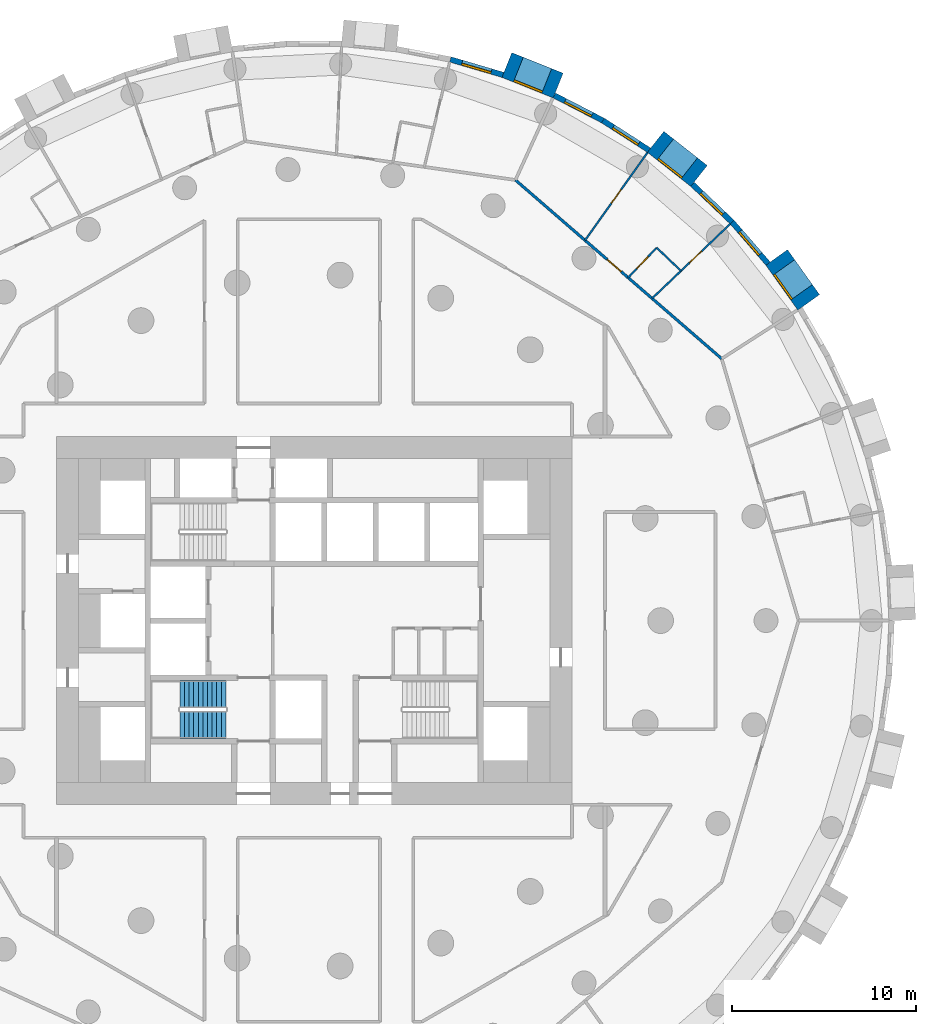
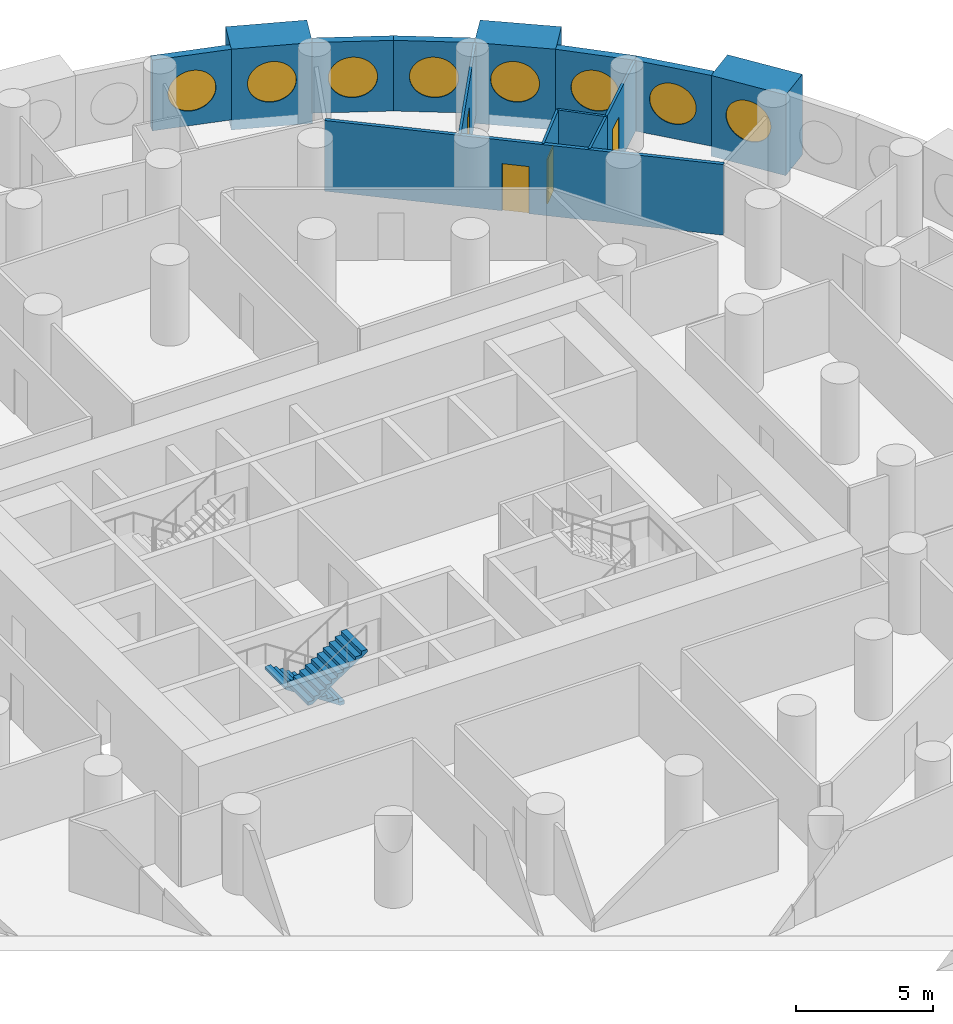
# One storey, part 10 of 12: 14 walls, 8 windows, 4 doors, 2 stair flights, 12 openings, 1 element without a shape of its own.
"""IFC4 building model written with IfcOpenShell, lengths in metres."""

from ifc_helpers import new_model, si_unit, direction, frame, frame_2d, origin, origin_2d, place, context, subcontext, project, spatial, polyline, rectangle, circle, outline, extrude, material, layer, layer_set, type_object, element, fill, aggregate, save


model = new_model("IFC4")

# Units and contexts
model_context = context("Model", 3, precision=1e-05, world=origin(), true_north=direction((0.0, 1.0)))
body_context = subcontext(model_context, "Body", "Model", "MODEL_VIEW")
ifc_project = project(units=[si_unit("LENGTHUNIT", "METRE"), si_unit("AREAUNIT", "SQUARE_METRE"), si_unit("VOLUMEUNIT", "CUBIC_METRE"), si_unit("PLANEANGLEUNIT", "RADIAN"), si_unit("MASSUNIT", "GRAM", prefix="KILO")], contexts=[model_context])

# Site, building, storey
site_placement = place(None, origin())
site = spatial("IfcSite", under=ifc_project, at=site_placement, CompositionType="ELEMENT")
building_placement = place(site_placement, origin())
building = spatial("IfcBuilding", under=site, at=building_placement, Name="Tracery Tower", CompositionType="ELEMENT")
storey_placement = place(building_placement, frame((0.0, 0.0, 89.39990234375)))
storey = spatial("IfcBuildingStorey", under=building, at=storey_placement, Name="L22", CompositionType="ELEMENT", Elevation=89.39990234375)

# Wall, opening, window
ifc_material_1 = material(Name="Precast concrete C50/60", Category="concrete")
ifc_layer_1 = layer(ifc_material_1, 1.449951171875)
ifc_layer_set_1 = layer_set([ifc_layer_1], Name="Deep-set bay unit 3000 x 3600, slab edge 450")
wall_type_1 = type_object("IfcWallType", Name="Deep-set bay unit 3000 x 3600, slab edge 450", PredefinedType="ELEMENTEDWALL", material=ifc_layer_set_1)
wall_1_placement = place(storey_placement, frame((26.866455078125, 17.2900390625, -0.449951171875), z_axis=(0.0, 0.0, 1.0), x_axis=(-0.580090570606, 0.814551981088, 0.0)))
wall_1 = element("IfcWall", 1, at=wall_1_placement, inside=storey, type_object=wall_type_1, Name="Deep-set bay unit 7 at L22", PredefinedType="ELEMENTEDWALL", context=body_context, shape_type="SweptSolid", body=[
    extrude(rectangle(XDim=3.0, YDim=1.449951171875, at=frame_2d((1.5, 0.0))), origin(), (0.0, 0.0, 1.0), 3.60009765625),
])
opening_1_placement = place(wall_1_placement, frame((1.5, 0.0, 2.0)))
opening_1 = element("IfcOpeningElement", 2, at=opening_1_placement, cuts=wall_1, Name="Opening WN1", PredefinedType="OPENING", context=body_context, shape_type="SweptSolid", body=[
    extrude(circle(Radius=0.9000244140625, at=origin_2d()), frame((0.0, 0.73486328125, 0.0), z_axis=(0.0, -1.0, 0.0), x_axis=(1.0, 0.0, 0.0)), (0.0, 0.0, 1.0), 1.469970703125),
])
ifc_material_2 = material(Name="Aluminium frame with tinted double glazing", Category="aluminium")
window_type = type_object("IfcWindowType", Name="Round window 1800", PartitioningType="SINGLE_PANEL", PredefinedType="WINDOW", material=ifc_material_2)
window_1_placement = place(opening_1_placement, origin())
window_1 = element("IfcWindow", 3, at=window_1_placement, inside=storey, type_object=window_type, Name="Round window 7 at L22", OverallHeight=1.800048828125, OverallWidth=1.800048828125, PartitioningType="SINGLE_PANEL", PredefinedType="WINDOW", context=body_context, shape_type="SweptSolid", body=[
    extrude(circle(Radius=0.9000244140625, at=origin_2d()), frame((0.0, 0.69482421875, 0.0), z_axis=(0.0, -1.0, 0.0), x_axis=(1.0, 0.0, 0.0)), (0.0, 0.0, 1.0), 0.10009765625),
])
fill(opening_1, window_1)

wall_2_placement = place(storey_placement, frame((20.906982421875, 24.15869140625, -0.449951171875), z_axis=(0.0, 0.0, 1.0), x_axis=(-0.786049992888, 0.618162930529, 0.0)))
wall_2 = element("IfcWall", 4, at=wall_2_placement, inside=storey, type_object=wall_type_1, Name="Deep-set bay unit 10 at L22", PredefinedType="ELEMENTEDWALL", context=body_context, shape_type="SweptSolid", body=[
    extrude(rectangle(XDim=3.0, YDim=1.449951171875, at=frame_2d((1.5, 0.0))), origin(), (0.0, 0.0, 1.0), 3.60009765625),
])
opening_2_placement = place(wall_2_placement, frame((1.5, 0.0, 2.0)))
opening_2 = element("IfcOpeningElement", 5, at=opening_2_placement, cuts=wall_2, Name="Opening WN1", PredefinedType="OPENING", context=body_context, shape_type="SweptSolid", body=[
    extrude(circle(Radius=0.9000244140625, at=origin_2d()), frame((0.0, 0.73486328125, 0.0), z_axis=(0.0, -1.0, 0.0), x_axis=(1.0, 0.0, 0.0)), (0.0, 0.0, 1.0), 1.469970703125),
])
window_2_placement = place(opening_2_placement, origin())
window_2 = element("IfcWindow", 6, at=window_2_placement, inside=storey, type_object=window_type, Name="Round window 10 at L22", OverallHeight=1.800048828125, OverallWidth=1.800048828125, PartitioningType="SINGLE_PANEL", PredefinedType="WINDOW", context=body_context, shape_type="SweptSolid", body=[
    extrude(circle(Radius=0.9000244140625, at=origin_2d()), frame((0.0, 0.69482421875, 0.0), z_axis=(0.0, -1.0, 0.0), x_axis=(1.0, 0.0, 0.0)), (0.0, 0.0, 1.0), 0.10009765625),
])
fill(opening_2, window_2)

wall_3_placement = place(storey_placement, frame((13.253662109375, 29.0703125, -0.449951171875), z_axis=(0.0, 0.0, 1.0), x_axis=(-0.928358776184, 0.371685327504, 0.0)))
wall_3 = element("IfcWall", 7, at=wall_3_placement, inside=storey, type_object=wall_type_1, Name="Deep-set bay unit 13 at L22", PredefinedType="ELEMENTEDWALL", context=body_context, shape_type="SweptSolid", body=[
    extrude(rectangle(XDim=2.999755859375, YDim=1.449951171875, at=frame_2d((1.5, 0.0))), origin(), (0.0, 0.0, 1.0), 3.60009765625),
])
opening_3_placement = place(wall_3_placement, frame((1.5, 0.0, 2.0)))
opening_3 = element("IfcOpeningElement", 8, at=opening_3_placement, cuts=wall_3, Name="Opening WN1", PredefinedType="OPENING", context=body_context, shape_type="SweptSolid", body=[
    extrude(circle(Radius=0.9000244140625, at=origin_2d()), frame((0.0, 0.73486328125, 0.0), z_axis=(0.0, -1.0, 0.0), x_axis=(1.0, 0.0, 0.0)), (0.0, 0.0, 1.0), 1.469970703125),
])
window_3_placement = place(opening_3_placement, origin())
window_3 = element("IfcWindow", 9, at=window_3_placement, inside=storey, type_object=window_type, Name="Round window 13 at L22", OverallHeight=1.800048828125, OverallWidth=1.800048828125, PartitioningType="SINGLE_PANEL", PredefinedType="WINDOW", context=body_context, shape_type="SweptSolid", body=[
    extrude(circle(Radius=0.9000244140625, at=origin_2d()), frame((0.0, 0.69482421875, 0.0), z_axis=(0.0, -1.0, 0.0), x_axis=(1.0, 0.0, 0.0)), (0.0, 0.0, 1.0), 0.10009765625),
])
fill(opening_3, window_3)

ifc_material_3 = material(Name="Precast concrete C50/60", Category="concrete")
ifc_layer_2 = layer(ifc_material_3, 0.300048828125)
ifc_layer_set_2 = layer_set([ifc_layer_2], Name="Facade panel 3000 x 3150")
wall_type_2 = type_object("IfcWallType", Name="Facade panel 3000 x 3150", PredefinedType="SOLIDWALL", material=ifc_layer_set_2)
wall_4_placement = place(storey_placement, frame((24.657958984375, 19.39892578125, 0.0), z_axis=(0.0, 0.0, 1.0), x_axis=(-0.654830712471, 0.755775587066, 0.0)))
wall_4 = element("IfcWall", 10, at=wall_4_placement, inside=storey, type_object=wall_type_2, Name="Facade panel 8 at L22", PredefinedType="SOLIDWALL", context=body_context, shape_type="SweptSolid", body=[
    extrude(rectangle(XDim=2.979736328125, YDim=0.300048828125, at=frame_2d((1.48974609375, 0.0))), origin(), (0.0, 0.0, 1.0), 3.150146484375),
])
opening_4_placement = place(wall_4_placement, frame((1.48974609375, 0.0, 1.5498046875)))
opening_4 = element("IfcOpeningElement", 11, at=opening_4_placement, cuts=wall_4, Name="Opening WN1", PredefinedType="OPENING", context=body_context, shape_type="SweptSolid", body=[
    extrude(circle(Radius=0.9000244140625, at=origin_2d()), frame((0.0, 0.159912109375, 0.0), z_axis=(0.0, -1.0, 0.0), x_axis=(1.0, 0.0, 0.0)), (0.0, 0.0, 1.0), 0.320068359375),
])
window_4_placement = place(opening_4_placement, origin())
window_4 = element("IfcWindow", 12, at=window_4_placement, inside=storey, type_object=window_type, Name="Round window 8 at L22", OverallHeight=1.800048828125, OverallWidth=1.800048828125, PartitioningType="SINGLE_PANEL", PredefinedType="WINDOW", context=body_context, shape_type="SweptSolid", body=[
    extrude(circle(Radius=0.9000244140625, at=origin_2d()), frame((0.0, 0.1201171875, 0.0), z_axis=(0.0, -1.0, 0.0), x_axis=(1.0, 0.0, 0.0)), (0.0, 0.0, 1.0), 0.10009765625),
])
fill(opening_4, window_4)

wall_5_placement = place(storey_placement, frame((22.706787109375, 21.65087890625, 0.0), z_axis=(0.0, 0.0, 1.0), x_axis=(-0.723744206617, 0.690068346896, 0.0)))
wall_5 = element("IfcWall", 13, at=wall_5_placement, inside=storey, type_object=wall_type_2, Name="Facade panel 9 at L22", PredefinedType="SOLIDWALL", context=body_context, shape_type="SweptSolid", body=[
    extrude(rectangle(XDim=2.979736328125, YDim=0.300048828125, at=frame_2d((1.48974609375, 0.0))), origin(), (0.0, 0.0, 1.0), 3.150146484375),
])
opening_5_placement = place(wall_5_placement, frame((1.48974609375, 0.0, 1.5498046875)))
opening_5 = element("IfcOpeningElement", 14, at=opening_5_placement, cuts=wall_5, Name="Opening WN1", PredefinedType="OPENING", context=body_context, shape_type="SweptSolid", body=[
    extrude(circle(Radius=0.9000244140625, at=origin_2d()), frame((0.0, 0.159912109375, 0.0), z_axis=(0.0, -1.0, 0.0), x_axis=(1.0, 0.0, 0.0)), (0.0, 0.0, 1.0), 0.320068359375),
])
window_5_placement = place(opening_5_placement, origin())
window_5 = element("IfcWindow", 15, at=window_5_placement, inside=storey, type_object=window_type, Name="Round window 9 at L22", OverallHeight=1.800048828125, OverallWidth=1.800048828125, PartitioningType="SINGLE_PANEL", PredefinedType="WINDOW", context=body_context, shape_type="SweptSolid", body=[
    extrude(circle(Radius=0.9000244140625, at=origin_2d()), frame((0.0, 0.1201171875, 0.0), z_axis=(0.0, -1.0, 0.0), x_axis=(1.0, 0.0, 0.0)), (0.0, 0.0, 1.0), 0.10009765625),
])
fill(opening_5, window_5)

wall_6_placement = place(storey_placement, frame((18.19384765625, 25.56005859375, 0.0), z_axis=(0.0, 0.0, 1.0), x_axis=(-0.84122372879, 0.540687190639, 0.0)))
wall_6 = element("IfcWall", 16, at=wall_6_placement, inside=storey, type_object=wall_type_2, Name="Facade panel 11 at L22", PredefinedType="SOLIDWALL", context=body_context, shape_type="SweptSolid", body=[
    extrude(rectangle(XDim=2.979736328125, YDim=0.300048828125, at=frame_2d((1.48974609375, 0.0))), origin(), (0.0, 0.0, 1.0), 3.150146484375),
])
opening_6_placement = place(wall_6_placement, frame((1.48974609375, 0.0, 1.5498046875)))
opening_6 = element("IfcOpeningElement", 17, at=opening_6_placement, cuts=wall_6, Name="Opening WN1", PredefinedType="OPENING", context=body_context, shape_type="SweptSolid", body=[
    extrude(circle(Radius=0.9000244140625, at=origin_2d()), frame((0.0, 0.159912109375, 0.0), z_axis=(0.0, -1.0, 0.0), x_axis=(1.0, 0.0, 0.0)), (0.0, 0.0, 1.0), 0.320068359375),
])
window_6_placement = place(opening_6_placement, origin())
window_6 = element("IfcWindow", 18, at=window_6_placement, inside=storey, type_object=window_type, Name="Round window 11 at L22", OverallHeight=1.800048828125, OverallWidth=1.800048828125, PartitioningType="SINGLE_PANEL", PredefinedType="WINDOW", context=body_context, shape_type="SweptSolid", body=[
    extrude(circle(Radius=0.9000244140625, at=origin_2d()), frame((0.0, 0.1201171875, 0.0), z_axis=(0.0, -1.0, 0.0), x_axis=(1.0, 0.0, 0.0)), (0.0, 0.0, 1.0), 0.10009765625),
])
fill(opening_6, window_6)

wall_7_placement = place(storey_placement, frame((15.687255859375, 27.171142578125, 0.0), z_axis=(0.0, 0.0, 1.0), x_axis=(-0.888853225096, 0.4581920386, 0.0)))
wall_7 = element("IfcWall", 19, at=wall_7_placement, inside=storey, type_object=wall_type_2, Name="Facade panel 12 at L22", PredefinedType="SOLIDWALL", context=body_context, shape_type="SweptSolid", body=[
    extrude(rectangle(XDim=2.9794921875, YDim=0.300048828125, at=frame_2d((1.48974609375, 0.0))), origin(), (0.0, 0.0, 1.0), 3.150146484375),
])
opening_7_placement = place(wall_7_placement, frame((1.48974609375, 0.0, 1.5498046875)))
opening_7 = element("IfcOpeningElement", 20, at=opening_7_placement, cuts=wall_7, Name="Opening WN1", PredefinedType="OPENING", context=body_context, shape_type="SweptSolid", body=[
    extrude(circle(Radius=0.9000244140625, at=origin_2d()), frame((0.0, 0.159912109375, 0.0), z_axis=(0.0, -1.0, 0.0), x_axis=(1.0, 0.0, 0.0)), (0.0, 0.0, 1.0), 0.320068359375),
])
window_7_placement = place(opening_7_placement, origin())
window_7 = element("IfcWindow", 21, at=window_7_placement, inside=storey, type_object=window_type, Name="Round window 12 at L22", OverallHeight=1.800048828125, OverallWidth=1.800048828125, PartitioningType="SINGLE_PANEL", PredefinedType="WINDOW", context=body_context, shape_type="SweptSolid", body=[
    extrude(circle(Radius=0.9000244140625, at=origin_2d()), frame((0.0, 0.1201171875, 0.0), z_axis=(0.0, -1.0, 0.0), x_axis=(1.0, 0.0, 0.0)), (0.0, 0.0, 1.0), 0.10009765625),
])
fill(opening_7, window_7)

wall_8_placement = place(storey_placement, frame((10.255859375, 29.650634765625, 0.0), z_axis=(0.0, 0.0, 1.0), x_axis=(-0.959507586834, 0.28168278401, 0.0)))
wall_8 = element("IfcWall", 22, at=wall_8_placement, inside=storey, type_object=wall_type_2, Name="Facade panel 14 at L22", PredefinedType="SOLIDWALL", context=body_context, shape_type="SweptSolid", body=[
    extrude(rectangle(XDim=2.979736328125, YDim=0.300048828125, at=frame_2d((1.48974609375, 0.0))), origin(), (0.0, 0.0, 1.0), 3.150146484375),
])
opening_8_placement = place(wall_8_placement, frame((1.48974609375, 0.0, 1.5498046875)))
opening_8 = element("IfcOpeningElement", 23, at=opening_8_placement, cuts=wall_8, Name="Opening WN1", PredefinedType="OPENING", context=body_context, shape_type="SweptSolid", body=[
    extrude(circle(Radius=0.9000244140625, at=origin_2d()), frame((0.0, 0.159912109375, 0.0), z_axis=(0.0, -1.0, 0.0), x_axis=(1.0, 0.0, 0.0)), (0.0, 0.0, 1.0), 0.320068359375),
])
window_8_placement = place(opening_8_placement, origin())
window_8 = element("IfcWindow", 24, at=window_8_placement, inside=storey, type_object=window_type, Name="Round window 14 at L22", OverallHeight=1.800048828125, OverallWidth=1.800048828125, PartitioningType="SINGLE_PANEL", PredefinedType="WINDOW", context=body_context, shape_type="SweptSolid", body=[
    extrude(circle(Radius=0.9000244140625, at=origin_2d()), frame((0.0, 0.1201171875, 0.0), z_axis=(0.0, -1.0, 0.0), x_axis=(1.0, 0.0, 0.0)), (0.0, 0.0, 1.0), 0.10009765625),
])
fill(opening_8, window_8)

# Wall, opening, door
ifc_material_4 = material(Name="Plasterboard on steel studs", Category="steel")
ifc_layer_3 = layer(ifc_material_4, 0.10009765625)
ifc_layer_set_3 = layer_set([ifc_layer_3], Name="Partition 100 stud")
wall_type_3 = type_object("IfcWallType", Name="Partition 100 stud", PredefinedType="PARTITIONING", material=ifc_layer_set_3)
wall_9_placement = place(storey_placement, frame((19.927978515625, 19.001953125, 0.0), z_axis=(0.0, 0.0, 1.0), x_axis=(0.723815182922, 0.689993899228, 0.0)))
wall_9 = element("IfcWall", 25, at=wall_9_placement, inside=storey, type_object=wall_type_3, Name="Stud partition RA6-065", PredefinedType="PARTITIONING", context=body_context, shape_type="SweptSolid", body=[
    extrude(rectangle(XDim=3.688720703125, YDim=0.10009765625, at=frame_2d((1.84423828125, 0.0))), origin(), (0.0, 0.0, 1.0), 3.150146484375),
])
opening_9_placement = place(wall_9_placement, frame((0.64453125, 0.0, 0.0)))
opening_9 = element("IfcOpeningElement", 26, at=opening_9_placement, cuts=wall_9, Name="Opening RA6-17", PredefinedType="OPENING", context=body_context, shape_type="SweptSolid", body=[
    extrude(rectangle(XDim=0.89990234375, YDim=2.10009765625, at=frame_2d((0.449951171875, 1.050048828125))), frame((0.0, 0.050048828125, 0.0), z_axis=(0.0, -1.0, 0.0), x_axis=(1.0, 0.0, 0.0)), (0.0, 0.0, 1.0), 0.10009765625),
])
ifc_material_5 = material(Name="Timber door leaf", Category="wood")
door_type_1 = type_object("IfcDoorType", Name="Door bedroom 900", OperationType="NOTDEFINED", PredefinedType="DOOR", material=ifc_material_5)
door_1_placement = place(opening_9_placement, origin())
door_1 = element("IfcDoor", 27, at=door_1_placement, inside=storey, type_object=door_type_1, Name="Bedroom door RA6-17", OperationType="SINGLE_SWING_RIGHT", OverallHeight=2.10009765625, OverallWidth=0.89990234375, PredefinedType="DOOR", context=body_context, shape_type="SweptSolid", body=[
    extrude(rectangle(XDim=0.89990234375, YDim=2.10009765625, at=frame_2d((0.449951171875, 1.050048828125))), frame((0.0, 0.02490234375, 0.0), z_axis=(0.0, -1.0, 0.0), x_axis=(1.0, 0.0, 0.0)), (0.0, 0.0, 1.0), 0.050048828125),
])
fill(opening_9, door_1)

wall_10_placement = place(storey_placement, frame((14.715087890625, 20.6640625, 0.0), z_axis=(0.0, 0.0, 1.0), x_axis=(0.580007254017, 0.814611309329, 0.0)))
wall_10 = element("IfcWall", 28, at=wall_10_placement, inside=storey, type_object=wall_type_3, Name="Stud partition RA6-066", PredefinedType="PARTITIONING", context=body_context, shape_type="SweptSolid", body=[
    extrude(rectangle(XDim=5.856689453125, YDim=0.10009765625, at=frame_2d((2.92822265625, 0.0))), origin(), (0.0, 0.0, 1.0), 3.150146484375),
])
opening_10_placement = place(wall_10_placement, frame((2.47802734375, 0.0, 0.0)))
opening_10 = element("IfcOpeningElement", 29, at=opening_10_placement, cuts=wall_10, Name="Opening RA6-18", PredefinedType="OPENING", context=body_context, shape_type="SweptSolid", body=[
    extrude(rectangle(XDim=0.89990234375, YDim=2.10009765625, at=frame_2d((0.449951171875, 1.050048828125))), frame((0.0, 0.050048828125, 0.0), z_axis=(0.0, -1.0, 0.0), x_axis=(1.0, 0.0, 0.0)), (0.0, 0.0, 1.0), 0.10009765625),
])
door_2_placement = place(opening_10_placement, origin())
door_2 = element("IfcDoor", 30, at=door_2_placement, inside=storey, type_object=door_type_1, Name="Bedroom door RA6-18", OperationType="SINGLE_SWING_LEFT", OverallHeight=2.10009765625, OverallWidth=0.89990234375, PredefinedType="DOOR", context=body_context, shape_type="SweptSolid", body=[
    extrude(rectangle(XDim=0.89990234375, YDim=2.10009765625, at=frame_2d((0.449951171875, 1.050048828125))), frame((0.0, 0.02490234375, 0.0), z_axis=(0.0, -1.0, 0.0), x_axis=(1.0, 0.0, 0.0)), (0.0, 0.0, 1.0), 0.050048828125),
])
fill(opening_10, door_2)

# Wall
ifc_material_6 = material(Name="Plasterboard on steel studs", Category="steel")
ifc_layer_4 = layer(ifc_material_6, 0.10009765625)
ifc_layer_set_4 = layer_set([ifc_layer_4], Name="Partition 100 wet wall")
wall_type_4 = type_object("IfcWallType", Name="Partition 100 wet wall", PredefinedType="PARTITIONING", material=ifc_layer_set_4)
wall_11_placement = place(storey_placement, frame((18.60791015625, 20.260986328125, 0.0), z_axis=(0.0, 0.0, 1.0), x_axis=(0.723638053237, -0.690179663499, 0.0)))
element("IfcWall", 31, at=wall_11_placement, inside=storey, type_object=wall_type_4, Name="Wet wall RA6-067", PredefinedType="PARTITIONING", context=body_context, shape_type="SweptSolid", body=[
    extrude(rectangle(XDim=1.82421875, YDim=0.10009765625, at=frame_2d((0.912109375, 0.0))), origin(), (0.0, 0.0, 1.0), 3.150146484375),
])

# Wall, opening, door
wall_12_placement = place(storey_placement, frame((17.056884765625, 18.634033203125, 0.0), z_axis=(0.0, 0.0, 1.0), x_axis=(0.690015794307, 0.723794310289, 0.0)))
wall_12 = element("IfcWall", 32, at=wall_12_placement, inside=storey, type_object=wall_type_4, Name="Wet wall RA6-068", PredefinedType="PARTITIONING", context=body_context, shape_type="SweptSolid", body=[
    extrude(rectangle(XDim=2.247802734375, YDim=0.10009765625, at=frame_2d((1.1240234375, 0.0))), origin(), (0.0, 0.0, 1.0), 3.150146484375),
])
opening_11_placement = place(wall_12_placement, frame((0.673828125, 0.0, 0.0)))
opening_11 = element("IfcOpeningElement", 33, at=opening_11_placement, cuts=wall_12, Name="Opening RA6-19", PredefinedType="OPENING", context=body_context, shape_type="SweptSolid", body=[
    extrude(rectangle(XDim=0.89990234375, YDim=2.0, at=frame_2d((0.449951171875, 1.0))), frame((0.0, 0.050048828125, 0.0), z_axis=(0.0, -1.0, 0.0), x_axis=(1.0, 0.0, 0.0)), (0.0, 0.0, 1.0), 0.10009765625),
])
ifc_material_7 = material(Name="Timber door leaf", Category="wood")
door_type_2 = type_object("IfcDoorType", Name="Door shower room 900", OperationType="NOTDEFINED", PredefinedType="DOOR", material=ifc_material_7)
door_3_placement = place(opening_11_placement, origin())
door_3 = element("IfcDoor", 34, at=door_3_placement, inside=storey, type_object=door_type_2, Name="Shower room door RA6-19", OperationType="SINGLE_SWING_RIGHT", OverallHeight=2.0, OverallWidth=0.89990234375, PredefinedType="DOOR", context=body_context, shape_type="SweptSolid", body=[
    extrude(rectangle(XDim=0.89990234375, YDim=2.0, at=frame_2d((0.449951171875, 1.0))), frame((0.0, 0.02490234375, 0.0), z_axis=(0.0, -1.0, 0.0), x_axis=(1.0, 0.0, 0.0)), (0.0, 0.0, 1.0), 0.050048828125),
])
fill(opening_11, door_3)

# Wall
wall_13_placement = place(storey_placement, frame((18.35888671875, 17.506103515625, 0.0), z_axis=(0.0, 0.0, 1.0), x_axis=(0.723990848888, 0.689809575699, 0.0)))
element("IfcWall", 35, at=wall_13_placement, inside=storey, type_object=wall_type_4, Name="Wet wall RA6-069", PredefinedType="PARTITIONING", context=body_context, shape_type="SweptSolid", body=[
    extrude(rectangle(XDim=2.17138671875, YDim=0.10009765625, at=frame_2d((1.085693359375, 0.0))), origin(), (0.0, 0.0, 1.0), 3.150146484375),
])

# Wall, opening, door
ifc_material_8 = material(Name="Plasterboard on steel studs", Category="steel")
ifc_layer_5 = layer(ifc_material_8, 0.14990234375)
ifc_layer_set_5 = layer_set([ifc_layer_5], Name="Partition 150 corridor wall")
wall_type_5 = type_object("IfcWallType", Name="Partition 150 corridor wall", PredefinedType="PARTITIONING", material=ifc_layer_set_5)
wall_14_placement = place(storey_placement, frame((10.932373046875, 23.939208984375, 0.0), z_axis=(0.0, 0.0, 1.0), x_axis=(0.755823777664, -0.654775088956, 0.0)))
wall_14 = element("IfcWall", 36, at=wall_14_placement, inside=storey, type_object=wall_type_5, Name="Corridor wall RA6-021", PredefinedType="PARTITIONING", context=body_context, shape_type="SweptSolid", body=[
    extrude(rectangle(XDim=14.829833984375, YDim=0.14990234375, at=frame_2d((7.4150390625, 0.0))), origin(), (0.0, 0.0, 1.0), 3.150146484375),
])
opening_12_placement = place(wall_14_placement, frame((6.60400390625, 0.0, 0.0)))
opening_12 = element("IfcOpeningElement", 37, at=opening_12_placement, cuts=wall_14, Name="Opening RA6-20", PredefinedType="OPENING", context=body_context, shape_type="SweptSolid", body=[
    extrude(rectangle(XDim=1.0, YDim=2.10009765625, at=frame_2d((0.5, 1.050048828125))), frame((0.0, 0.074951171875, 0.0), z_axis=(0.0, -1.0, 0.0), x_axis=(1.0, 0.0, 0.0)), (0.0, 0.0, 1.0), 0.14990234375),
])
ifc_material_9 = material(Name="Timber door leaf", Category="wood")
door_type_3 = type_object("IfcDoorType", Name="Door unit entrance 1000", OperationType="NOTDEFINED", PredefinedType="DOOR", material=ifc_material_9)
door_4_placement = place(opening_12_placement, origin())
door_4 = element("IfcDoor", 38, at=door_4_placement, inside=storey, type_object=door_type_3, Name="Unit entrance door RA6-20", OperationType="SINGLE_SWING_RIGHT", OverallHeight=2.10009765625, OverallWidth=1.0, PredefinedType="DOOR", context=body_context, shape_type="SweptSolid", body=[
    extrude(rectangle(XDim=1.0, YDim=2.10009765625, at=frame_2d((0.5, 1.050048828125))), frame((0.0, 0.02490234375, 0.0), z_axis=(0.0, -1.0, 0.0), x_axis=(1.0, 0.0, 0.0)), (0.0, 0.0, 1.0), 0.050048828125),
])
fill(opening_12, door_4)

# Stair, stair flights
ifc_material_10 = material(Name="Concrete C32/40", Category="concrete")
stair_type = type_object("IfcStairType", Name="Core stair 22 risers", PredefinedType="HALF_TURN_STAIR", material=ifc_material_10)
stair_placement = place(storey_placement, origin())
stair = element("IfcStair", 39, at=stair_placement, inside=storey, type_object=stair_type, Name="L22 stair ST1", PredefinedType="HALF_TURN_STAIR")
ifc_material_11 = material(Name="Concrete C32/40", Category="concrete")
stair_flight_type = type_object("IfcStairFlightType", Name="Core stair flight 11 risers", PredefinedType="STRAIGHT", material=ifc_material_11)
stair_flight_1_placement = place(storey_placement, frame((-4.800048828125, -4.0, 0.0), z_axis=(0.0, 0.0, 1.0), x_axis=(-1.0, 0.0, 0.0)))
stair_flight_1 = element("IfcStairFlight", 40, at=stair_flight_1_placement, type_object=stair_flight_type, Name="ST1 flight 1", NumberOfRisers=11, NumberOfTreads=10, PredefinedType="STRAIGHT", RiserHeight=0.163636364, TreadLength=0.25, context=body_context, shape_type="SweptSolid", body=[
    extrude(outline(polyline([(0.0, 0.0), (0.0, 0.002685546875), (0.0, 0.00537109375), (0.0, 0.008056640625), (0.0, 0.0107421875), (0.0, 0.013427734375), (0.0, 0.01611328125), (0.0, 0.018798828125), (0.0, 0.021484375), (0.0, 0.024169921875), (0.0, 0.02685546875), (0.0, 0.029541015625), (0.0, 0.0322265625), (0.0, 0.034912109375), (0.0, 0.03759765625), (0.0, 0.040283203125), (0.0, 0.04296875), (0.0, 0.045654296875), (0.0, 0.04833984375), (0.0, 0.051025390625), (0.0, 0.0537109375), (0.0, 0.056396484375), (0.0, 0.05908203125), (0.0, 0.061767578125), (0.0, 0.064453125), (0.0, 0.067138671875), (0.0, 0.06982421875), (0.0, 0.072509765625), (0.0, 0.0751953125), (0.0, 0.077880859375), (0.0, 0.08056640625), (0.0, 0.083251953125), (0.0, 0.0859375), (0.0, 0.088623046875), (0.0, 0.09130859375), (0.0, 0.093994140625), (0.0, 0.0966796875), (0.0, 0.099365234375), (0.0, 0.10205078125), (0.0, 0.104736328125), (0.0, 0.107421875), (0.0, 0.10986328125), (0.0, 0.112548828125), (0.0, 0.115234375), (0.0, 0.117919921875), (0.0, 0.12060546875), (0.0, 0.123291015625), (0.0, 0.1259765625), (0.0, 0.128662109375), (0.0, 0.13134765625), (0.0, 0.134033203125), (0.0, 0.13671875), (0.0, 0.139404296875), (0.0, 0.14208984375), (0.0, 0.144775390625), (0.0, 0.1474609375), (0.0, 0.150146484375), (0.0, 0.15283203125), (0.0, 0.155517578125), (0.0, 0.158203125), (0.0, 0.160888671875), (0.0, 0.16357421875), (0.25, 0.16357421875), (0.25, 0.327392578125), (0.5, 0.327392578125), (0.5, 0.490966796875), (0.75, 0.490966796875), (0.75, 0.654541015625), (1.0, 0.654541015625), (1.0, 0.818115234375), (1.25, 0.818115234375), (1.25, 0.98193359375), (1.5, 0.98193359375), (1.5, 1.1455078125), (1.75, 1.1455078125), (1.75, 1.30908203125), (2.0, 1.30908203125), (2.0, 1.47265625), (2.25, 1.47265625), (2.25, 1.636474609375), (2.5, 1.636474609375), (2.5, 1.634521484375), (2.5, 1.63232421875), (2.5, 1.63037109375), (2.5, 1.62841796875), (2.5, 1.62646484375), (2.5, 1.62451171875), (2.5, 1.62255859375), (2.5, 1.62060546875), (2.5, 1.61865234375), (2.5, 1.61669921875), (2.5, 1.61474609375), (2.5, 1.61279296875), (2.5, 1.61083984375), (2.5, 1.60888671875), (2.5, 1.60693359375), (2.5, 1.60498046875), (2.5, 1.60302734375), (2.5, 1.60107421875), (2.5, 1.59912109375), (2.5, 1.59716796875), (2.5, 1.59521484375), (2.5, 1.59326171875), (2.5, 1.59130859375), (2.5, 1.58935546875), (2.5, 1.58740234375), (2.5, 1.58544921875), (2.5, 1.58349609375), (2.5, 1.58154296875), (2.5, 1.57958984375), (2.5, 1.57763671875), (2.5, 1.57568359375), (2.5, 1.573486328125), (2.5, 1.571533203125), (2.5, 1.569580078125), (2.5, 1.567626953125), (2.5, 1.565673828125), (2.5, 1.563720703125), (2.5, 1.561767578125), (2.5, 1.559814453125), (2.5, 1.557861328125), (2.5, 1.555908203125), (2.5, 1.553955078125), (2.5, 1.552001953125), (2.5, 1.550048828125), (2.5, 1.548095703125), (2.5, 1.546142578125), (2.5, 1.544189453125), (2.5, 1.542236328125), (2.5, 1.540283203125), (2.5, 1.538330078125), (2.5, 1.536376953125), (2.5, 1.534423828125), (2.5, 1.532470703125), (2.5, 1.530517578125), (2.5, 1.528564453125), (2.5, 1.526611328125), (2.5, 1.524658203125), (2.5, 1.522705078125), (2.5, 1.520751953125), (2.5, 1.518798828125), (2.5, 1.516845703125), (0.182861328125, 0.0), (0.0, 0.0)])), frame((0.0, 0.75, 0.0), z_axis=(0.0, -1.0, 0.0), x_axis=(1.0, 0.0, 0.0)), (0.0, 0.0, 1.0), 1.5),
])
stair_flight_2_placement = place(storey_placement, frame((-7.300048828125, -5.64990234375, 1.800048828125), z_axis=(0.0, 0.0, 1.0), x_axis=(1.0, 0.0, 0.0)))
stair_flight_2 = element("IfcStairFlight", 41, at=stair_flight_2_placement, type_object=stair_flight_type, Name="ST1 flight 2", NumberOfRisers=11, NumberOfTreads=10, PredefinedType="STRAIGHT", RiserHeight=0.163636364, TreadLength=0.25, context=body_context, shape_type="SweptSolid", body=[
    extrude(outline(polyline([(0.0, 0.0), (0.0, 0.002685546875), (0.0, 0.00537109375), (0.0, 0.008056640625), (0.0, 0.0107421875), (0.0, 0.013427734375), (0.0, 0.01611328125), (0.0, 0.018798828125), (0.0, 0.021484375), (0.0, 0.024169921875), (0.0, 0.02685546875), (0.0, 0.029541015625), (0.0, 0.0322265625), (0.0, 0.034912109375), (0.0, 0.03759765625), (0.0, 0.040283203125), (0.0, 0.04296875), (0.0, 0.045654296875), (0.0, 0.04833984375), (0.0, 0.051025390625), (0.0, 0.0537109375), (0.0, 0.056396484375), (0.0, 0.05908203125), (0.0, 0.061767578125), (0.0, 0.064453125), (0.0, 0.067138671875), (0.0, 0.06982421875), (0.0, 0.072509765625), (0.0, 0.0751953125), (0.0, 0.077880859375), (0.0, 0.08056640625), (0.0, 0.083251953125), (0.0, 0.0859375), (0.0, 0.088623046875), (0.0, 0.09130859375), (0.0, 0.093994140625), (0.0, 0.0966796875), (0.0, 0.099365234375), (0.0, 0.10205078125), (0.0, 0.104736328125), (0.0, 0.107421875), (0.0, 0.10986328125), (0.0, 0.112548828125), (0.0, 0.115234375), (0.0, 0.117919921875), (0.0, 0.12060546875), (0.0, 0.123291015625), (0.0, 0.1259765625), (0.0, 0.128662109375), (0.0, 0.13134765625), (0.0, 0.134033203125), (0.0, 0.13671875), (0.0, 0.139404296875), (0.0, 0.14208984375), (0.0, 0.144775390625), (0.0, 0.1474609375), (0.0, 0.150146484375), (0.0, 0.15283203125), (0.0, 0.155517578125), (0.0, 0.158203125), (0.0, 0.160888671875), (0.0, 0.16357421875), (0.25, 0.16357421875), (0.25, 0.327392578125), (0.5, 0.327392578125), (0.5, 0.490966796875), (0.75, 0.490966796875), (0.75, 0.654541015625), (1.0, 0.654541015625), (1.0, 0.818115234375), (1.25, 0.818115234375), (1.25, 0.98193359375), (1.5, 0.98193359375), (1.5, 1.1455078125), (1.75, 1.1455078125), (1.75, 1.30908203125), (2.0, 1.30908203125), (2.0, 1.47265625), (2.25, 1.47265625), (2.25, 1.636474609375), (2.5, 1.636474609375), (2.5, 1.634521484375), (2.5, 1.63232421875), (2.5, 1.63037109375), (2.5, 1.62841796875), (2.5, 1.62646484375), (2.5, 1.62451171875), (2.5, 1.62255859375), (2.5, 1.62060546875), (2.5, 1.61865234375), (2.5, 1.61669921875), (2.5, 1.61474609375), (2.5, 1.61279296875), (2.5, 1.61083984375), (2.5, 1.60888671875), (2.5, 1.60693359375), (2.5, 1.60498046875), (2.5, 1.60302734375), (2.5, 1.60107421875), (2.5, 1.59912109375), (2.5, 1.59716796875), (2.5, 1.59521484375), (2.5, 1.59326171875), (2.5, 1.59130859375), (2.5, 1.58935546875), (2.5, 1.58740234375), (2.5, 1.58544921875), (2.5, 1.58349609375), (2.5, 1.58154296875), (2.5, 1.57958984375), (2.5, 1.57763671875), (2.5, 1.57568359375), (2.5, 1.573486328125), (2.5, 1.571533203125), (2.5, 1.569580078125), (2.5, 1.567626953125), (2.5, 1.565673828125), (2.5, 1.563720703125), (2.5, 1.561767578125), (2.5, 1.559814453125), (2.5, 1.557861328125), (2.5, 1.555908203125), (2.5, 1.553955078125), (2.5, 1.552001953125), (2.5, 1.550048828125), (2.5, 1.548095703125), (2.5, 1.546142578125), (2.5, 1.544189453125), (2.5, 1.542236328125), (2.5, 1.540283203125), (2.5, 1.538330078125), (2.5, 1.536376953125), (2.5, 1.534423828125), (2.5, 1.532470703125), (2.5, 1.530517578125), (2.5, 1.528564453125), (2.5, 1.526611328125), (2.5, 1.524658203125), (2.5, 1.522705078125), (2.5, 1.520751953125), (2.5, 1.518798828125), (2.5, 1.516845703125), (0.182861328125, 0.0), (0.0, 0.0)])), frame((0.0, 0.75, 0.0), z_axis=(0.0, -1.0, 0.0), x_axis=(1.0, 0.0, 0.0)), (0.0, 0.0, 1.0), 1.5),
])
aggregate(stair, [stair_flight_1, stair_flight_2])

save(model, "model.ifc")
